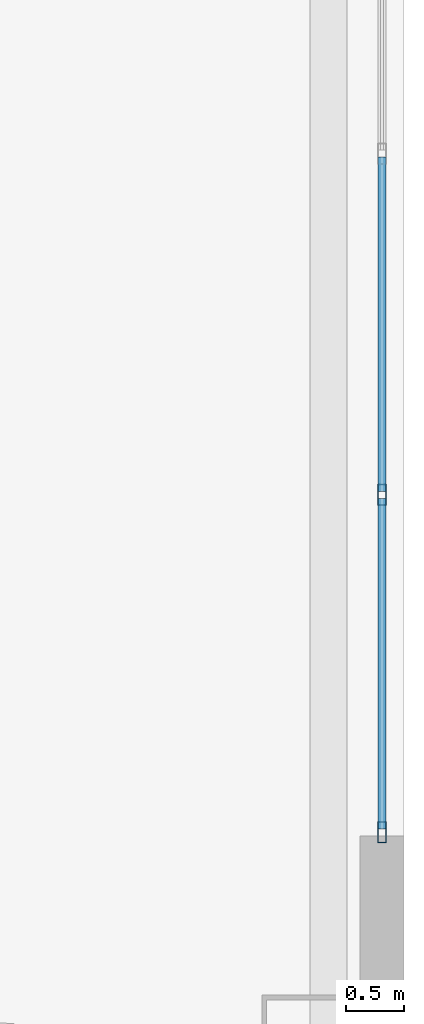
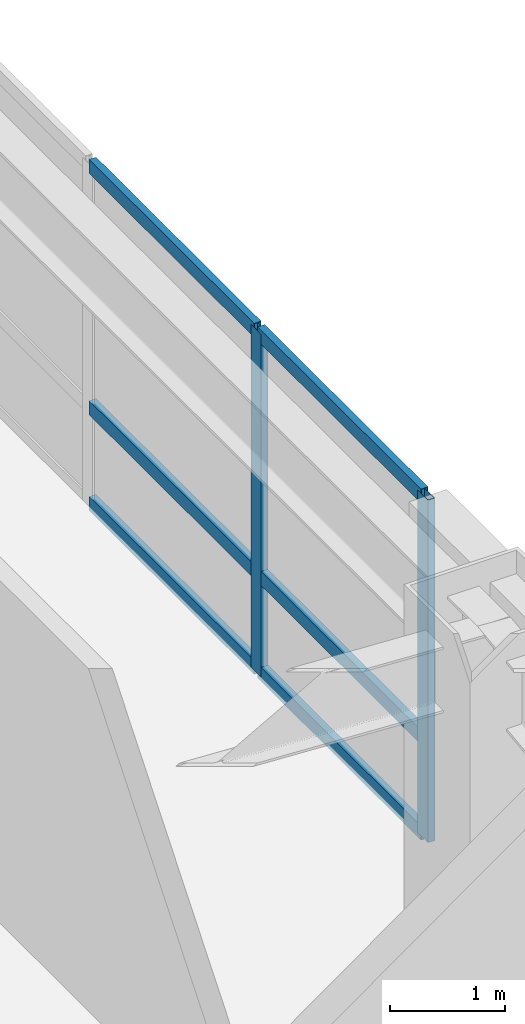
# One storey, part 11 of 28: 8 members, 1 element without a shape of its own.
"""IFC4 building model written with IfcOpenShell, lengths in metres."""

from ifc_helpers import new_model, si_unit, direction, frame, origin, origin_2d, place, context, subcontext, project, spatial, hollow_rectangle, extrude, material, layer, layer_set, material_profile, profile_set, type_object, element, aggregate, save


model = new_model("IFC4")

# Units and contexts
model_context = context("Model", 3, precision=1e-05, world=origin(), true_north=direction((0.0, 1.0)))
body_context = subcontext(model_context, "Body", "Model", "MODEL_VIEW")
ifc_project = project(units=[si_unit("LENGTHUNIT", "METRE"), si_unit("AREAUNIT", "SQUARE_METRE"), si_unit("VOLUMEUNIT", "CUBIC_METRE"), si_unit("PLANEANGLEUNIT", "RADIAN"), si_unit("MASSUNIT", "GRAM", prefix="KILO")], contexts=[model_context])

# Site, building, storey
site_placement = place(None, origin())
site = spatial("IfcSite", under=ifc_project, at=site_placement, CompositionType="ELEMENT")
building_placement = place(site_placement, origin())
building = spatial("IfcBuilding", under=site, at=building_placement, Name="Voryun Gate Residences", CompositionType="ELEMENT")
storey_placement = place(building_placement, frame((0.0, 0.0, 61.10009765625)))
storey = spatial("IfcBuildingStorey", under=building, at=storey_placement, Name="L14", CompositionType="ELEMENT", Elevation=61.10009765625)

# Curtain wall, members
ifc_material_1 = material(Name="Anodised aluminium", Category="aluminium")
ifc_layer = layer(ifc_material_1, 0.179931640625, Name="CW_SYS_RES_A_DARK_GLASS")
ifc_layer_set = layer_set([ifc_layer], Name="Anodised aluminium")
curtain_wall_type = type_object("IfcCurtainWallType", Name="CW_SYS_RES_A_DARK_GLASS", PredefinedType="NOTDEFINED", material=ifc_layer_set)
curtain_wall_placement = place(storey_placement, origin())
curtain_wall = element("IfcCurtainWall", 1, at=curtain_wall_placement, inside=storey, type_object=curtain_wall_type, Name="Curtain wall CWT-L14-16", PredefinedType="NOTDEFINED")
ifc_material_2 = material(Name="Anodised aluminium", Category="aluminium")
ifc_material_profile_1 = material_profile(ifc_material_2, hollow_rectangle(XDim=0.070068359375, YDim=0.179931640625, WallThickness=0.00390625, at=origin_2d()), Name="ALU-MULL-180x70x4")
ifc_profile_set_1 = profile_set([ifc_material_profile_1], Name="Anodised aluminium")
member_type_1 = type_object("IfcMemberType", Name="CW_MULL_RES", PredefinedType="MULLION", material=ifc_profile_set_1)
member_1_placement = place(storey_placement, frame((26.2099609375, -2.94091796875, 0.0), z_axis=(0.0, 0.0, 1.0), x_axis=(1.0, 0.0, 0.0)))
member_1 = element("IfcMember", 2, at=member_1_placement, type_object=member_type_1, Name="CW3 mullion 4", PredefinedType="MULLION", context=body_context, shape_type="SweptSolid", body=[
    extrude(hollow_rectangle(XDim=0.070068359375, YDim=0.179931640625, WallThickness=0.00390625, at=origin_2d()), origin(), (0.0, 0.0, 1.0), 3.64990234375),
])
member_2_placement = place(storey_placement, frame((26.2099609375, -5.85205078125, 0.0), z_axis=(0.0, 0.0, 1.0), x_axis=(1.0, 0.0, 0.0)))
member_2 = element("IfcMember", 3, at=member_2_placement, type_object=member_type_1, Name="CW3 mullion 5", PredefinedType="MULLION", context=body_context, shape_type="SweptSolid", body=[
    extrude(hollow_rectangle(XDim=0.070068359375, YDim=0.179931640625, WallThickness=0.00390625, at=origin_2d()), origin(), (0.0, 0.0, 1.0), 3.64990234375),
])
ifc_material_3 = material(Name="Anodised aluminium", Category="aluminium")
ifc_material_profile_2 = material_profile(ifc_material_3, hollow_rectangle(XDim=0.070068359375, YDim=0.14990234375, WallThickness=0.00390625, at=origin_2d()), Name="ALU-TRAN-150x70x4")
ifc_profile_set_2 = profile_set([ifc_material_profile_2], Name="Anodised aluminium")
member_type_2 = type_object("IfcMemberType", Name="CW_TRAN_RES", PredefinedType="USERDEFINED", material=ifc_profile_set_2)
member_3_placement = place(storey_placement, frame((26.2099609375, -0.030029296875, 0.02978515625), z_axis=(0.0, -1.0, 0.0), x_axis=(1.0, 0.0, 0.0)))
member_3 = element("IfcMember", 4, at=member_3_placement, type_object=member_type_2, Name="CW3 transom 3.1", ObjectType="TRANSOM", PredefinedType="USERDEFINED", context=body_context, shape_type="SweptSolid", body=[
    extrude(hollow_rectangle(XDim=0.070068359375, YDim=0.14990234375, WallThickness=0.00390625, at=origin_2d()), origin(), (0.0, 0.0, 1.0), 2.880859375),
])
member_4_placement = place(storey_placement, frame((26.2099609375, -0.030029296875, 1.0498046875), z_axis=(0.0, -1.0, 0.0), x_axis=(1.0, 0.0, 0.0)))
member_4 = element("IfcMember", 5, at=member_4_placement, type_object=member_type_2, Name="CW3 transom 3.2", ObjectType="TRANSOM", PredefinedType="USERDEFINED", context=body_context, shape_type="SweptSolid", body=[
    extrude(hollow_rectangle(XDim=0.070068359375, YDim=0.14990234375, WallThickness=0.00390625, at=origin_2d()), origin(), (0.0, 0.0, 1.0), 2.880859375),
])
member_5_placement = place(storey_placement, frame((26.2099609375, -0.030029296875, 3.619873046875), z_axis=(0.0, -1.0, 0.0), x_axis=(1.0, 0.0, 0.0)))
member_5 = element("IfcMember", 6, at=member_5_placement, type_object=member_type_2, Name="CW3 transom 3.3", ObjectType="TRANSOM", PredefinedType="USERDEFINED", context=body_context, shape_type="SweptSolid", body=[
    extrude(hollow_rectangle(XDim=0.070068359375, YDim=0.14990234375, WallThickness=0.00390625, at=origin_2d()), origin(), (0.0, 0.0, 1.0), 2.880859375),
])
member_6_placement = place(storey_placement, frame((26.2099609375, -2.970947265625, 0.02978515625), z_axis=(0.0, -1.0, 0.0), x_axis=(1.0, 0.0, 0.0)))
member_6 = element("IfcMember", 7, at=member_6_placement, type_object=member_type_2, Name="CW3 transom 4.1", ObjectType="TRANSOM", PredefinedType="USERDEFINED", context=body_context, shape_type="SweptSolid", body=[
    extrude(hollow_rectangle(XDim=0.070068359375, YDim=0.14990234375, WallThickness=0.00390625, at=origin_2d()), origin(), (0.0, 0.0, 1.0), 2.85107421875),
])
member_7_placement = place(storey_placement, frame((26.2099609375, -2.970947265625, 1.0498046875), z_axis=(0.0, -1.0, 0.0), x_axis=(1.0, 0.0, 0.0)))
member_7 = element("IfcMember", 8, at=member_7_placement, type_object=member_type_2, Name="CW3 transom 4.2", ObjectType="TRANSOM", PredefinedType="USERDEFINED", context=body_context, shape_type="SweptSolid", body=[
    extrude(hollow_rectangle(XDim=0.070068359375, YDim=0.14990234375, WallThickness=0.00390625, at=origin_2d()), origin(), (0.0, 0.0, 1.0), 2.85107421875),
])
member_8_placement = place(storey_placement, frame((26.2099609375, -2.970947265625, 3.619873046875), z_axis=(0.0, -1.0, 0.0), x_axis=(1.0, 0.0, 0.0)))
member_8 = element("IfcMember", 9, at=member_8_placement, type_object=member_type_2, Name="CW3 transom 4.3", ObjectType="TRANSOM", PredefinedType="USERDEFINED", context=body_context, shape_type="SweptSolid", body=[
    extrude(hollow_rectangle(XDim=0.070068359375, YDim=0.14990234375, WallThickness=0.00390625, at=origin_2d()), origin(), (0.0, 0.0, 1.0), 2.85107421875),
])
aggregate(curtain_wall, [member_1, member_2, member_3, member_4, member_5, member_6, member_7, member_8])

save(model, "model.ifc")
